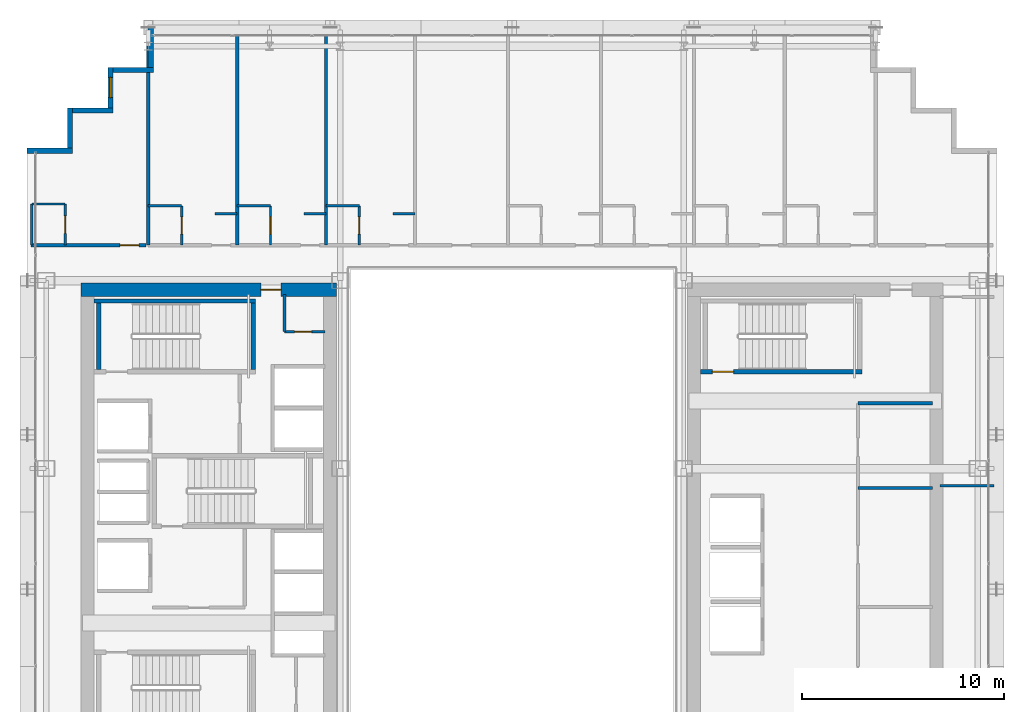
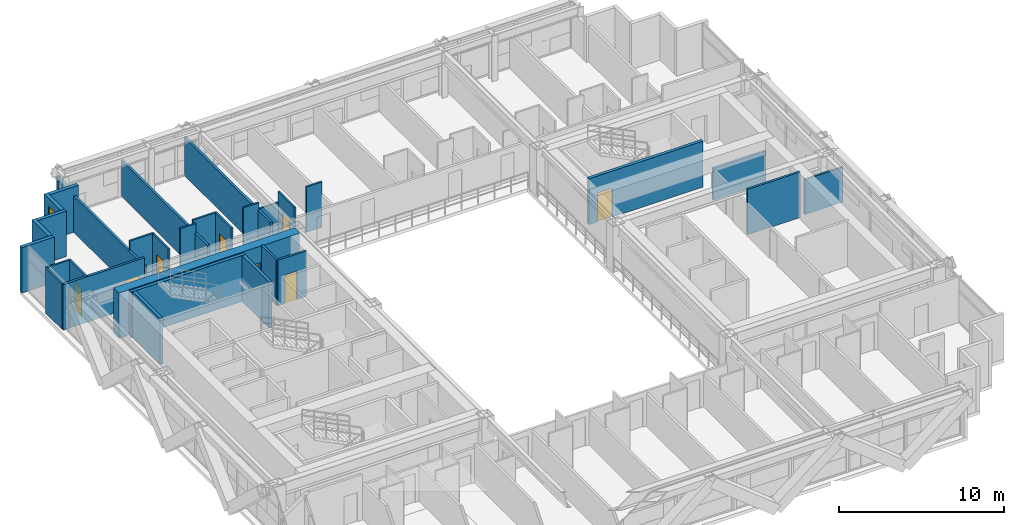
# One storey, part 30 of 36: 32 walls, 8 doors, 1 window, 9 openings.
"""IFC4 building model written with IfcOpenShell, lengths in metres."""

from ifc_helpers import new_model, si_unit, direction, frame, frame_2d, origin, place, context, subcontext, project, spatial, rectangle, extrude, source, transform, mapped, material, layer, layer_set, type_object, element, fill, save


model = new_model("IFC4")

# Units and contexts
model_context = context("Model", 3, precision=1e-05, world=origin(), true_north=direction((0.0, 1.0)))
body_context = subcontext(model_context, "Body", "Model", "MODEL_VIEW")
ifc_project = project(units=[si_unit("LENGTHUNIT", "METRE"), si_unit("AREAUNIT", "SQUARE_METRE"), si_unit("VOLUMEUNIT", "CUBIC_METRE"), si_unit("PLANEANGLEUNIT", "RADIAN"), si_unit("MASSUNIT", "GRAM", prefix="KILO")], contexts=[model_context])

# Site, building, storey
site_placement = place(None, origin())
site = spatial("IfcSite", under=ifc_project, at=site_placement, CompositionType="ELEMENT")
building_placement = place(site_placement, origin())
building = spatial("IfcBuilding", under=site, at=building_placement, Name="Ocotamira Hotel", CompositionType="ELEMENT")
storey_placement = place(building_placement, frame((0.0, 0.0, 136.800048828125)))
storey = spatial("IfcBuildingStorey", under=building, at=storey_placement, Name="L34", CompositionType="ELEMENT", Elevation=136.800048828125)

# Wall, opening, door
ifc_material_1 = material(Name="Concrete C60/75", Category="concrete")
ifc_layer_1 = layer(ifc_material_1, 0.64990234375)
ifc_layer_set_1 = layer_set([ifc_layer_1], Name="Concrete C60/75")
wall_type_1 = type_object("IfcWallType", Name="WL-CORE-650", PredefinedType="SHEAR", material=ifc_layer_set_1)
wall_1_placement = place(storey_placement, frame((10.675048828125, 37.0, 0.0), z_axis=(0.0, 0.0, 1.0), x_axis=(1.0, 0.0, 0.0)))
wall_1 = element("IfcWall", 1, at=wall_1_placement, inside=storey, type_object=wall_type_1, Name="L34 Shear Core Wall WCORE-N", PredefinedType="SHEAR", context=body_context, shape_type="SweptSolid", body=[
    extrude(rectangle(XDim=12.64990234375, YDim=0.64990234375, at=frame_2d((6.324951171875, 0.0))), origin(), (0.0, 0.0, 1.0), 3.35986328125),
])
opening_1_placement = place(wall_1_placement, frame((8.905029296875, 0.0, 0.0)))
opening_1 = element("IfcOpeningElement", 2, at=opening_1_placement, cuts=wall_1, Name="Opening D-FR2", PredefinedType="OPENING", context=body_context, shape_type="SweptSolid", body=[
    extrude(rectangle(XDim=1.0, YDim=2.14990234375, at=frame_2d((0.5, 1.074951171875))), frame((0.0, 0.3349609375, 0.0), z_axis=(0.0, -1.0, 0.0), x_axis=(1.0, 0.0, 0.0)), (0.0, 0.0, 1.0), 0.669921875),
])
ifc_material_2 = material(Name="Fire-rated acoustic timber-veneer door", Category="wood")
door_type_1 = type_object("IfcDoorType", Name="DR-FIRE-1000", OperationType="NOTDEFINED", PredefinedType="DOOR", material=ifc_material_2)
shared_shape_1 = source(origin(), body_context, "Body", "SweptSolid", [
    extrude(rectangle(XDim=1.0, YDim=2.14990234375, at=frame_2d((0.5, 1.074951171875))), frame((0.0, 0.02490234375, 0.0), z_axis=(0.0, -1.0, 0.0), x_axis=(1.0, 0.0, 0.0)), (0.0, 0.0, 1.0), 0.050048828125),
])
door_1_placement = place(opening_1_placement, origin())
door_1 = element("IfcDoor", 3, at=door_1_placement, inside=storey, type_object=door_type_1, Name="L34 Door ID-L34-WLOB-N-D [ID-L34-WLOB-N-D]", OperationType="SINGLE_SWING_RIGHT", OverallHeight=2.14990234375, OverallWidth=1.0, PredefinedType="DOOR", context=body_context, shape_type="MappedRepresentation", body=[
    mapped(shared_shape_1, transform((0.0, 0.0, 0.0), scale=1.0)),
])
fill(opening_1, door_1)

# Walls
ifc_material_3 = material(Name="Precast concrete C45/55", Category="concrete")
ifc_layer_2 = layer(ifc_material_3, 0.25)
ifc_layer_set_2 = layer_set([ifc_layer_2], Name="Precast concrete C45/55")
wall_type_2 = type_object("IfcWallType", Name="WL-EXT-SER-250", PredefinedType="SOLIDWALL", material=ifc_layer_set_2)
wall_2_placement = place(storey_placement, frame((14.125, 50.0, 0.0), z_axis=(0.0, 0.0, 1.0), x_axis=(0.0, -1.0, 0.0)))
element("IfcWall", 4, at=wall_2_placement, inside=storey, type_object=wall_type_2, Name="L34 Serrated Corner Wall 13", PredefinedType="SOLIDWALL", context=body_context, shape_type="SweptSolid", body=[
    extrude(rectangle(XDim=2.0, YDim=0.25, at=frame_2d((1.0, 0.0))), origin(), (0.0, 0.0, 1.0), 2.6669921875),
])
wall_3_placement = place(storey_placement, frame((14.25, 47.875, 0.0), z_axis=(0.0, 0.0, 1.0), x_axis=(-1.0, 0.0, 0.0)))
element("IfcWall", 5, at=wall_3_placement, inside=storey, type_object=wall_type_2, Name="L34 Serrated Corner Wall 14", PredefinedType="SOLIDWALL", context=body_context, shape_type="SweptSolid", body=[
    extrude(rectangle(XDim=2.0, YDim=0.25, at=frame_2d((1.0, 0.0))), origin(), (0.0, 0.0, 1.0), 3.35986328125),
])

# Wall, opening, window
wall_4_placement = place(storey_placement, frame((12.125, 48.0, 0.0), z_axis=(0.0, 0.0, 1.0), x_axis=(0.0, -1.0, 0.0)))
wall_4 = element("IfcWall", 6, at=wall_4_placement, inside=storey, type_object=wall_type_2, Name="L34 Serrated Corner Wall 15", PredefinedType="SOLIDWALL", context=body_context, shape_type="SweptSolid", body=[
    extrude(rectangle(XDim=2.0, YDim=0.25, at=frame_2d((1.0, 0.0))), origin(), (0.0, 0.0, 1.0), 3.35986328125),
])
opening_2_placement = place(wall_4_placement, frame((0.5, 0.0, 0.85009765625)))
opening_2 = element("IfcOpeningElement", 7, at=opening_2_placement, cuts=wall_4, Name="Opening WN-2", PredefinedType="OPENING", context=body_context, shape_type="SweptSolid", body=[
    extrude(rectangle(XDim=1.0, YDim=1.89990234375, at=frame_2d((0.5, 0.949951171875))), frame((0.0, 0.135009765625, 0.0), z_axis=(0.0, -1.0, 0.0), x_axis=(1.0, 0.0, 0.0)), (0.0, 0.0, 1.0), 0.27001953125),
])
ifc_material_4 = material(Name="Double-silver low-E solar glass", Category="glass")
window_type = type_object("IfcWindowType", Name="WIN-SER-1100", PartitioningType="SINGLE_PANEL", PredefinedType="WINDOW", material=ifc_material_4)
shared_shape_2 = source(origin(), body_context, "Body", "SweptSolid", [
    extrude(rectangle(XDim=1.0, YDim=1.89990234375, at=frame_2d((0.5, 0.949951171875))), frame((0.0, 0.030029296875, 0.0), z_axis=(0.0, -1.0, 0.0), x_axis=(1.0, 0.0, 0.0)), (0.0, 0.0, 1.0), 0.06005859375),
])
window_placement = place(opening_2_placement, origin())
window = element("IfcWindow", 8, at=window_placement, inside=storey, type_object=window_type, Name="L34 Serrated Corner Window 15", OverallHeight=1.89990234375, OverallWidth=1.0, PartitioningType="SINGLE_PANEL", PredefinedType="WINDOW", context=body_context, shape_type="MappedRepresentation", body=[
    mapped(shared_shape_2, transform((0.0, 0.0, 0.0), scale=1.0)),
])
fill(opening_2, window)

# Walls
for number, where, z_axis, x_axis, name in (
    (9, (12.25, 45.875, 0.0), (0.0, 0.0, 1.0), (-1.0, 0.0, 0.0), "L34 Serrated Corner Wall 16"),
    (10, (10.125, 46.0, 0.0), (0.0, 0.0, 1.0), (0.0, -1.0, 0.0), "L34 Serrated Corner Wall 17"),
):
    element("IfcWall", number, at=place(storey_placement, frame(where, z_axis=z_axis, x_axis=x_axis)), inside=storey, type_object=wall_type_2, Name=name, PredefinedType="SOLIDWALL", context=body_context, shape_type="SweptSolid", body=[
        extrude(rectangle(XDim=2.0, YDim=0.25, at=frame_2d((1.0, 0.0))), origin(), (0.0, 0.0, 1.0), 3.35986328125),
    ])
wall_5_placement = place(storey_placement, frame((10.25, 43.875, 0.0), z_axis=(0.0, 0.0, 1.0), x_axis=(-1.0, 0.0, 0.0)))
element("IfcWall", 11, at=wall_5_placement, inside=storey, type_object=wall_type_2, Name="L34 Serrated Corner Wall 18", PredefinedType="SOLIDWALL", context=body_context, shape_type="SweptSolid", body=[
    extrude(rectangle(XDim=2.25, YDim=0.25, at=frame_2d((1.125, 0.0))), origin(), (0.0, 0.0, 1.0), 3.35986328125),
])
ifc_material_5 = material(Name="Acoustic double-layer fire gypsum board partition", Category="gypsum")
ifc_layer_3 = layer(ifc_material_5, 0.159912109375)
ifc_layer_set_3 = layer_set([ifc_layer_3], Name="Acoustic double-layer fire gypsum board partition")
wall_type_3 = type_object("IfcWallType", Name="WL-FIRE-160", PredefinedType="PARTITIONING", material=ifc_layer_set_3)
wall_6_placement = place(storey_placement, frame((49.1201171875, 31.3798828125, 0.0), z_axis=(0.0, 0.0, 1.0), x_axis=(1.0, 0.0, 0.0)))
element("IfcWall", 12, at=wall_6_placement, inside=storey, type_object=wall_type_3, Name="L34 Interior Wall PW-L34-EC-FLOW-N", PredefinedType="PARTITIONING", context=body_context, shape_type="SweptSolid", body=[
    extrude(rectangle(XDim=3.679931640625, YDim=0.159912109375, at=frame_2d((1.83984375, 0.0))), origin(), (0.0, 0.0, 1.0), 2.35986328125),
])

# Wall, opening, door
wall_7_placement = place(storey_placement, frame((8.199951171875, 39.199951171875, 0.0), z_axis=(0.0, 0.0, 1.0), x_axis=(1.0, 0.0, 0.0)))
wall_7 = element("IfcWall", 13, at=wall_7_placement, inside=storey, type_object=wall_type_3, Name="L34 Interior Wall PW-L34-Z2D-CNW-CW", PredefinedType="PARTITIONING", context=body_context, shape_type="SweptSolid", body=[
    extrude(rectangle(XDim=5.679931640625, YDim=0.159912109375, at=frame_2d((2.83984375, 0.0))), origin(), (0.0, 0.0, 1.0), 3.35986328125),
])
opening_3_placement = place(wall_7_placement, frame((4.39990234375, 0.0, 0.0)))
opening_3 = element("IfcOpeningElement", 14, at=opening_3_placement, cuts=wall_7, Name="Opening D-GR1", PredefinedType="OPENING", context=body_context, shape_type="SweptSolid", body=[
    extrude(rectangle(XDim=0.93994140625, YDim=2.14990234375, at=frame_2d((0.469970703125, 1.074951171875))), frame((0.0, 0.08984375, 0.0), z_axis=(0.0, -1.0, 0.0), x_axis=(1.0, 0.0, 0.0)), (0.0, 0.0, 1.0), 0.179931640625),
])
ifc_material_6 = material(Name="Solid-core walnut suite entrance fire door", Category="wood")
door_type_2 = type_object("IfcDoorType", Name="DR-GUEST-940", OperationType="NOTDEFINED", PredefinedType="DOOR", material=ifc_material_6)
shared_shape_3 = source(origin(), body_context, "Body", "SweptSolid", [
    extrude(rectangle(XDim=0.93994140625, YDim=2.14990234375, at=frame_2d((0.469970703125, 1.074951171875))), frame((0.0, 0.02490234375, 0.0), z_axis=(0.0, -1.0, 0.0), x_axis=(1.0, 0.0, 0.0)), (0.0, 0.0, 1.0), 0.050048828125),
])
door_2_placement = place(opening_3_placement, origin())
door_2 = element("IfcDoor", 15, at=door_2_placement, inside=storey, type_object=door_type_2, Name="L34 Door ID-L34-Z2D-CNW-CD [ID-L34-Z2D-CNW-CD]", OperationType="SINGLE_SWING_RIGHT", OverallHeight=2.14990234375, OverallWidth=0.93994140625, PredefinedType="DOOR", context=body_context, shape_type="MappedRepresentation", body=[
    mapped(shared_shape_3, transform((0.0, 0.0, 0.0), scale=1.0)),
])
fill(opening_3, door_2)

ifc_material_7 = material(Name="Moisture-resistant en-suite tile and gypsum partition", Category="gypsum")
ifc_layer_4 = layer(ifc_material_7, 0.1201171875)
ifc_layer_set_4 = layer_set([ifc_layer_4], Name="Moisture-resistant en-suite tile and gypsum partition")
wall_type_4 = type_object("IfcWallType", Name="WL-PART-120", PredefinedType="PARTITIONING", material=ifc_layer_set_4)
wall_8_placement = place(storey_placement, frame((9.889892578125, 39.199951171875, 0.0), z_axis=(0.0, 0.0, 1.0), x_axis=(0.0, 1.0, 0.0)))
wall_8 = element("IfcWall", 16, at=wall_8_placement, inside=storey, type_object=wall_type_4, Name="L34 Interior Wall PW-L34-Z2D-CNW-BE", PredefinedType="PARTITIONING", context=body_context, shape_type="SweptSolid", body=[
    extrude(rectangle(XDim=2.0400390625, YDim=0.1201171875, at=frame_2d((1.02001953125, 0.0))), origin(), (0.0, 0.0, 1.0), 3.35986328125),
])
opening_4_placement = place(wall_8_placement, frame((0.590087890625, 0.0, 0.0)))
opening_4 = element("IfcOpeningElement", 17, at=opening_4_placement, cuts=wall_8, Name="Opening D-BA1", PredefinedType="OPENING", context=body_context, shape_type="SweptSolid", body=[
    extrude(rectangle(XDim=0.860107421875, YDim=2.10009765625, at=frame_2d((0.43017578125, 1.050048828125))), frame((0.0, 0.070068359375, 0.0), z_axis=(0.0, -1.0, 0.0), x_axis=(1.0, 0.0, 0.0)), (0.0, 0.0, 1.0), 0.14013671875),
])
ifc_material_8 = material(Name="Moisture-sealed en-suite timber door", Category="wood")
door_type_3 = type_object("IfcDoorType", Name="DR-BATH-860", OperationType="NOTDEFINED", PredefinedType="DOOR", material=ifc_material_8)
shared_shape_4 = source(origin(), body_context, "Body", "SweptSolid", [
    extrude(rectangle(XDim=0.860107421875, YDim=2.10009765625, at=frame_2d((0.43017578125, 1.050048828125))), frame((0.0, 0.02490234375, 0.0), z_axis=(0.0, -1.0, 0.0), x_axis=(1.0, 0.0, 0.0)), (0.0, 0.0, 1.0), 0.050048828125),
])
door_3_placement = place(opening_4_placement, origin())
door_3 = element("IfcDoor", 18, at=door_3_placement, inside=storey, type_object=door_type_3, Name="L34 Door ID-L34-Z2D-CNW-BD [ID-L34-Z2D-CNW-BD]", OperationType="SINGLE_SWING_LEFT", OverallHeight=2.10009765625, OverallWidth=0.860107421875, PredefinedType="DOOR", context=body_context, shape_type="MappedRepresentation", body=[
    mapped(shared_shape_4, transform((0.0, 0.0, 0.0), scale=1.0)),
])
fill(opening_4, door_3)

# Walls
wall_9_placement = place(storey_placement, frame((8.239990234375, 39.199951171875, 0.0), z_axis=(0.0, 0.0, 1.0), x_axis=(0.0, 1.0, 0.0)))
element("IfcWall", 19, at=wall_9_placement, inside=storey, type_object=wall_type_4, Name="L34 Interior Wall PW-L34-Z2D-CNW-BW", PredefinedType="PARTITIONING", context=body_context, shape_type="SweptSolid", body=[
    extrude(rectangle(XDim=2.0400390625, YDim=0.1201171875, at=frame_2d((1.02001953125, 0.0))), origin(), (0.0, 0.0, 1.0), 3.35986328125),
])
wall_10_placement = place(storey_placement, frame((8.239990234375, 41.239990234375, 0.0), z_axis=(0.0, 0.0, 1.0), x_axis=(1.0, 0.0, 0.0)))
element("IfcWall", 20, at=wall_10_placement, inside=storey, type_object=wall_type_4, Name="L34 Interior Wall PW-L34-Z2D-CNW-BH", PredefinedType="PARTITIONING", context=body_context, shape_type="SweptSolid", body=[
    extrude(rectangle(XDim=1.64990234375, YDim=0.1201171875, at=frame_2d((0.824951171875, 0.0))), origin(), (0.0, 0.0, 1.0), 3.35986328125),
])

# Wall, opening, door
wall_11_placement = place(storey_placement, frame((15.64990234375, 39.199951171875, 0.0), z_axis=(0.0, 0.0, 1.0), x_axis=(0.0, 1.0, 0.0)))
wall_11 = element("IfcWall", 21, at=wall_11_placement, inside=storey, type_object=wall_type_4, Name="L34 Interior Wall PW-L34-Z2DN-BAE1", PredefinedType="PARTITIONING", context=body_context, shape_type="SweptSolid", body=[
    extrude(rectangle(XDim=1.949951171875, YDim=0.1201171875, at=frame_2d((0.97509765625, 0.0))), origin(), (0.0, 0.0, 1.0), 3.35986328125),
])
opening_5_placement = place(wall_11_placement, frame((0.544921875, 0.0, 0.0)))
opening_5 = element("IfcOpeningElement", 22, at=opening_5_placement, cuts=wall_11, Name="Opening D-BA1", PredefinedType="OPENING", context=body_context, shape_type="SweptSolid", body=[
    extrude(rectangle(XDim=0.860107421875, YDim=2.10009765625, at=frame_2d((0.43017578125, 1.050048828125))), frame((0.0, 0.070068359375, 0.0), z_axis=(0.0, -1.0, 0.0), x_axis=(1.0, 0.0, 0.0)), (0.0, 0.0, 1.0), 0.14013671875),
])
door_4_placement = place(opening_5_placement, origin())
door_4 = element("IfcDoor", 23, at=door_4_placement, inside=storey, type_object=door_type_3, Name="L34 Door ID-L34-Z2DN-BAD1 [ID-L34-Z2DN-BAD1]", OperationType="SINGLE_SWING_RIGHT", OverallHeight=2.10009765625, OverallWidth=0.860107421875, PredefinedType="DOOR", context=body_context, shape_type="MappedRepresentation", body=[
    mapped(shared_shape_4, transform((0.0, 0.0, 0.0), scale=1.0)),
])
fill(opening_5, door_4)

# Walls
wall_12_placement = place(storey_placement, frame((14.0, 41.14990234375, 0.0), z_axis=(0.0, 0.0, 1.0), x_axis=(1.0, 0.0, 0.0)))
element("IfcWall", 24, at=wall_12_placement, inside=storey, type_object=wall_type_4, Name="L34 Interior Wall PW-L34-Z2DN-BAN1", PredefinedType="PARTITIONING", context=body_context, shape_type="SweptSolid", body=[
    extrude(rectangle(XDim=1.64990234375, YDim=0.1201171875, at=frame_2d((0.824951171875, 0.0))), origin(), (0.0, 0.0, 1.0), 3.35986328125),
])
wall_13_placement = place(storey_placement, frame((17.300048828125, 40.75, 0.0), z_axis=(0.0, 0.0, 1.0), x_axis=(1.0, 0.0, 0.0)))
element("IfcWall", 25, at=wall_13_placement, inside=storey, type_object=wall_type_4, Name="L34 Interior Wall PW-L34-Z2DN-DRN1", PredefinedType="PARTITIONING", context=body_context, shape_type="SweptSolid", body=[
    extrude(rectangle(XDim=1.099853515625, YDim=0.1201171875, at=frame_2d((0.5498046875, 0.0))), origin(), (0.0, 0.0, 1.0), 3.35986328125),
])

# Wall, opening, door
wall_14_placement = place(storey_placement, frame((20.050048828125, 39.199951171875, 0.0), z_axis=(0.0, 0.0, 1.0), x_axis=(0.0, 1.0, 0.0)))
wall_14 = element("IfcWall", 26, at=wall_14_placement, inside=storey, type_object=wall_type_4, Name="L34 Interior Wall PW-L34-Z2DN-BAE2", PredefinedType="PARTITIONING", context=body_context, shape_type="SweptSolid", body=[
    extrude(rectangle(XDim=1.949951171875, YDim=0.1201171875, at=frame_2d((0.97509765625, 0.0))), origin(), (0.0, 0.0, 1.0), 3.35986328125),
])
opening_6_placement = place(wall_14_placement, frame((0.544921875, 0.0, 0.0)))
opening_6 = element("IfcOpeningElement", 27, at=opening_6_placement, cuts=wall_14, Name="Opening D-BA1", PredefinedType="OPENING", context=body_context, shape_type="SweptSolid", body=[
    extrude(rectangle(XDim=0.860107421875, YDim=2.10009765625, at=frame_2d((0.43017578125, 1.050048828125))), frame((0.0, 0.070068359375, 0.0), z_axis=(0.0, -1.0, 0.0), x_axis=(1.0, 0.0, 0.0)), (0.0, 0.0, 1.0), 0.14013671875),
])
door_5_placement = place(opening_6_placement, origin())
door_5 = element("IfcDoor", 28, at=door_5_placement, inside=storey, type_object=door_type_3, Name="L34 Door ID-L34-Z2DN-BAD2 [ID-L34-Z2DN-BAD2]", OperationType="SINGLE_SWING_LEFT", OverallHeight=2.10009765625, OverallWidth=0.860107421875, PredefinedType="DOOR", context=body_context, shape_type="MappedRepresentation", body=[
    mapped(shared_shape_4, transform((0.0, 0.0, 0.0), scale=1.0)),
])
fill(opening_6, door_5)

# Walls
wall_15_placement = place(storey_placement, frame((18.39990234375, 41.14990234375, 0.0), z_axis=(0.0, 0.0, 1.0), x_axis=(1.0, 0.0, 0.0)))
element("IfcWall", 29, at=wall_15_placement, inside=storey, type_object=wall_type_4, Name="L34 Interior Wall PW-L34-Z2DN-BAN2", PredefinedType="PARTITIONING", context=body_context, shape_type="SweptSolid", body=[
    extrude(rectangle(XDim=1.650146484375, YDim=0.1201171875, at=frame_2d((0.8251953125, 0.0))), origin(), (0.0, 0.0, 1.0), 3.35986328125),
])
wall_16_placement = place(storey_placement, frame((21.699951171875, 40.75, 0.0), z_axis=(0.0, 0.0, 1.0), x_axis=(1.0, 0.0, 0.0)))
element("IfcWall", 30, at=wall_16_placement, inside=storey, type_object=wall_type_4, Name="L34 Interior Wall PW-L34-Z2DN-DRN2", PredefinedType="PARTITIONING", context=body_context, shape_type="SweptSolid", body=[
    extrude(rectangle(XDim=1.10009765625, YDim=0.1201171875, at=frame_2d((0.550048828125, 0.0))), origin(), (0.0, 0.0, 1.0), 3.35986328125),
])

# Wall, opening, door
wall_17_placement = place(storey_placement, frame((24.449951171875, 39.199951171875, 0.0), z_axis=(0.0, 0.0, 1.0), x_axis=(0.0, 1.0, 0.0)))
wall_17 = element("IfcWall", 31, at=wall_17_placement, inside=storey, type_object=wall_type_4, Name="L34 Interior Wall PW-L34-Z2DN-BAE3", PredefinedType="PARTITIONING", context=body_context, shape_type="SweptSolid", body=[
    extrude(rectangle(XDim=1.949951171875, YDim=0.1201171875, at=frame_2d((0.97509765625, 0.0))), origin(), (0.0, 0.0, 1.0), 3.35986328125),
])
opening_7_placement = place(wall_17_placement, frame((0.544921875, 0.0, 0.0)))
opening_7 = element("IfcOpeningElement", 32, at=opening_7_placement, cuts=wall_17, Name="Opening D-BA1", PredefinedType="OPENING", context=body_context, shape_type="SweptSolid", body=[
    extrude(rectangle(XDim=0.860107421875, YDim=2.10009765625, at=frame_2d((0.43017578125, 1.050048828125))), frame((0.0, 0.070068359375, 0.0), z_axis=(0.0, -1.0, 0.0), x_axis=(1.0, 0.0, 0.0)), (0.0, 0.0, 1.0), 0.14013671875),
])
door_6_placement = place(opening_7_placement, origin())
door_6 = element("IfcDoor", 33, at=door_6_placement, inside=storey, type_object=door_type_3, Name="L34 Door ID-L34-Z2DN-BAD3 [ID-L34-Z2DN-BAD3]", OperationType="SINGLE_SWING_RIGHT", OverallHeight=2.10009765625, OverallWidth=0.860107421875, PredefinedType="DOOR", context=body_context, shape_type="MappedRepresentation", body=[
    mapped(shared_shape_4, transform((0.0, 0.0, 0.0), scale=1.0)),
])
fill(opening_7, door_6)

# Walls
wall_18_placement = place(storey_placement, frame((22.800048828125, 41.14990234375, 0.0), z_axis=(0.0, 0.0, 1.0), x_axis=(1.0, 0.0, 0.0)))
element("IfcWall", 34, at=wall_18_placement, inside=storey, type_object=wall_type_4, Name="L34 Interior Wall PW-L34-Z2DN-BAN3", PredefinedType="PARTITIONING", context=body_context, shape_type="SweptSolid", body=[
    extrude(rectangle(XDim=1.64990234375, YDim=0.1201171875, at=frame_2d((0.824951171875, 0.0))), origin(), (0.0, 0.0, 1.0), 2.5810546875),
])
wall_19_placement = place(storey_placement, frame((26.10009765625, 40.75, 0.0), z_axis=(0.0, 0.0, 1.0), x_axis=(1.0, 0.0, 0.0)))
element("IfcWall", 35, at=wall_19_placement, inside=storey, type_object=wall_type_4, Name="L34 Interior Wall PW-L34-Z2DN-DRN3", PredefinedType="PARTITIONING", context=body_context, shape_type="SweptSolid", body=[
    extrude(rectangle(XDim=1.099853515625, YDim=0.1201171875, at=frame_2d((0.5498046875, 0.0))), origin(), (0.0, 0.0, 1.0), 3.35986328125),
])
ifc_material_9 = material(Name="Acoustic hospitality gypsum board partition", Category="gypsum")
ifc_layer_5 = layer(ifc_material_9, 0.14208984375)
ifc_layer_set_5 = layer_set([ifc_layer_5], Name="Acoustic hospitality gypsum board partition")
wall_type_5 = type_object("IfcWallType", Name="WL-PART-142", PredefinedType="PARTITIONING", material=ifc_layer_set_5)
wall_20_placement = place(storey_placement, frame((20.739990234375, 34.919921875, 0.0), z_axis=(0.0, 0.0, 1.0), x_axis=(0.0, 1.0, 0.0)))
element("IfcWall", 36, at=wall_20_placement, inside=storey, type_object=wall_type_5, Name="L34 Interior Wall PW-L34-WC-NE-W1", PredefinedType="PARTITIONING", context=body_context, shape_type="SweptSolid", body=[
    extrude(rectangle(XDim=1.830078125, YDim=0.14208984375, at=frame_2d((0.9150390625, 0.0))), origin(), (0.0, 0.0, 1.0), 3.35986328125),
])

# Wall, opening, door
wall_21_placement = place(storey_placement, frame((20.739990234375, 34.919921875, 0.0), z_axis=(0.0, 0.0, 1.0), x_axis=(1.0, 0.0, 0.0)))
wall_21 = element("IfcWall", 37, at=wall_21_placement, inside=storey, type_object=wall_type_5, Name="L34 Interior Wall PW-L34-WC-NE-S1", PredefinedType="PARTITIONING", context=body_context, shape_type="SweptSolid", body=[
    extrude(rectangle(XDim=2.010009765625, YDim=0.14208984375, at=frame_2d((1.0048828125, 0.0))), origin(), (0.0, 0.0, 1.0), 3.35986328125),
])
opening_8_placement = place(wall_21_placement, frame((0.5, 0.0, 0.0)))
opening_8 = element("IfcOpeningElement", 38, at=opening_8_placement, cuts=wall_21, Name="Opening D-SV1", PredefinedType="OPENING", context=body_context, shape_type="SweptSolid", body=[
    extrude(rectangle(XDim=0.840087890625, YDim=2.10009765625, at=frame_2d((0.419921875, 1.050048828125))), frame((0.0, 0.0810546875, 0.0), z_axis=(0.0, -1.0, 0.0), x_axis=(1.0, 0.0, 0.0)), (0.0, 0.0, 1.0), 0.162109375),
])
ifc_material_10 = material(Name="Fire-rated painted steel service door", Category="steel")
door_type_4 = type_object("IfcDoorType", Name="DR-SERV-840", OperationType="NOTDEFINED", PredefinedType="DOOR", material=ifc_material_10)
shared_shape_5 = source(origin(), body_context, "Body", "SweptSolid", [
    extrude(rectangle(XDim=0.840087890625, YDim=2.10009765625, at=frame_2d((0.419921875, 1.050048828125))), frame((0.0, 0.02490234375, 0.0), z_axis=(0.0, -1.0, 0.0), x_axis=(1.0, 0.0, 0.0)), (0.0, 0.0, 1.0), 0.050048828125),
])
door_7_placement = place(opening_8_placement, origin())
door_7 = element("IfcDoor", 39, at=door_7_placement, inside=storey, type_object=door_type_4, Name="L34 Door ID-L34-WC-NE-D1 [ID-L34-WC-NE-D1]", OperationType="SINGLE_SWING_LEFT", OverallHeight=2.10009765625, OverallWidth=0.840087890625, PredefinedType="DOOR", context=body_context, shape_type="MappedRepresentation", body=[
    mapped(shared_shape_5, transform((0.0, 0.0, 0.0), scale=1.0)),
])
fill(opening_8, door_7)

# Walls
wall_22_placement = place(storey_placement, frame((53.179931640625, 27.300048828125, 0.0), z_axis=(0.0, 0.0, 1.0), x_axis=(1.0, 0.0, 0.0)))
element("IfcWall", 40, at=wall_22_placement, inside=storey, type_object=wall_type_5, Name="L34 Interior Wall PW-L34-Z2D-EF-DV1", PredefinedType="PARTITIONING", context=body_context, shape_type="SweptSolid", body=[
    extrude(rectangle(XDim=2.66015625, YDim=0.14208984375, at=frame_2d((1.330078125, 0.0))), origin(), (0.0, 0.0, 1.0), 2.5810546875),
])
ifc_layer_6 = layer(ifc_material_9, 0.14990234375)
ifc_layer_set_6 = layer_set([ifc_layer_6], Name="Acoustic hospitality gypsum board partition")
wall_type_6 = type_object("IfcWallType", Name="WL-PART-150", PredefinedType="PARTITIONING", material=ifc_layer_set_6)
wall_23_placement = place(storey_placement, frame((49.1201171875, 27.18994140625, 0.0), z_axis=(0.0, 0.0, 1.0), x_axis=(1.0, 0.0, 0.0)))
element("IfcWall", 41, at=wall_23_placement, inside=storey, type_object=wall_type_6, Name="L34 Interior Wall PW-L34-EC-FDIV2", PredefinedType="PARTITIONING", context=body_context, shape_type="SweptSolid", body=[
    extrude(rectangle(XDim=3.679931640625, YDim=0.14990234375, at=frame_2d((1.83984375, 0.0))), origin(), (0.0, 0.0, 1.0), 3.35986328125),
])
ifc_material_11 = material(Name="Acoustic double-stud hospitality gypsum partition", Category="gypsum")
ifc_layer_7 = layer(ifc_material_11, 0.159912109375)
ifc_layer_set_7 = layer_set([ifc_layer_7], Name="Acoustic double-stud hospitality gypsum partition")
wall_type_7 = type_object("IfcWallType", Name="WL-PART-160", PredefinedType="PARTITIONING", material=ifc_layer_set_7)
for number, where, z_axis, x_axis, name in (
    (42, (14.0, 39.199951171875, 0.0), (0.0, 0.0, 1.0), (0.0, 1.0, 0.0), "L34 Interior Wall PW-L34-Z2DN-PW0"),
    (43, (18.39990234375, 39.199951171875, 0.0), (0.0, 0.0, 1.0), (0.0, 1.0, 0.0), "L34 Interior Wall PW-L34-Z2DN-PW1"),
):
    element("IfcWall", number, at=place(storey_placement, frame(where, z_axis=z_axis, x_axis=x_axis)), inside=storey, type_object=wall_type_7, Name=name, PredefinedType="PARTITIONING", context=body_context, shape_type="SweptSolid", body=[
        extrude(rectangle(XDim=10.43994140625, YDim=0.159912109375, at=frame_2d((5.219970703125, 0.0))), origin(), (0.0, 0.0, 1.0), 2.6669921875),
    ])
wall_24_placement = place(storey_placement, frame((22.800048828125, 39.199951171875, 0.0), z_axis=(0.0, 0.0, 1.0), x_axis=(0.0, 1.0, 0.0)))
element("IfcWall", 44, at=wall_24_placement, inside=storey, type_object=wall_type_7, Name="L34 Interior Wall PW-L34-Z2DN-PW2", PredefinedType="PARTITIONING", context=body_context, shape_type="SweptSolid", body=[
    extrude(rectangle(XDim=10.43994140625, YDim=0.159912109375, at=frame_2d((5.219970703125, 0.0))), origin(), (0.0, 0.0, 1.0), 2.822998046875),
])
ifc_material_12 = material(Name="Concrete C50/60", Category="concrete")
ifc_layer_8 = layer(ifc_material_12, 0.219970703125)
ifc_layer_set_8 = layer_set([ifc_layer_8], Name="Concrete C50/60")
wall_type_8 = type_object("IfcWallType", Name="WL-STAIR-220", PredefinedType="SHEAR", material=ifc_layer_set_8)
wall_25_placement = place(storey_placement, frame((11.324951171875, 36.43994140625, 0.0), z_axis=(0.0, 0.0, 1.0), x_axis=(1.0, 0.0, 0.0)))
element("IfcWall", 45, at=wall_25_placement, inside=storey, type_object=wall_type_8, Name="L34 Stair Shaft Structural Wall ST-2-N", PredefinedType="SHEAR", context=body_context, shape_type="SweptSolid", body=[
    extrude(rectangle(XDim=7.985107421875, YDim=0.219970703125, at=frame_2d((3.99267578125, 0.0))), origin(), (0.0, 0.0, 1.0), 3.39990234375),
])
for number, where, z_axis, x_axis, name in (
    (46, (11.56005859375, 33.050048828125, 0.0), (0.0, 0.0, 1.0), (0.0, 1.0, 0.0), "L34 Stair Shaft Structural Wall ST-2-W"),
    (47, (19.199951171875, 33.050048828125, 0.0), (0.0, 0.0, 1.0), (0.0, 1.0, 0.0), "L34 Stair Shaft Structural Wall ST-2-E"),
):
    element("IfcWall", number, at=place(storey_placement, frame(where, z_axis=z_axis, x_axis=x_axis)), inside=storey, type_object=wall_type_8, Name=name, PredefinedType="SHEAR", context=body_context, shape_type="SweptSolid", body=[
        extrude(rectangle(XDim=3.280029296875, YDim=0.219970703125, at=frame_2d((1.64013671875, 0.0))), origin(), (0.0, 0.0, 1.0), 3.39990234375),
    ])

# Wall, opening, door
wall_26_placement = place(storey_placement, frame((41.324951171875, 32.93994140625, 0.0), z_axis=(0.0, 0.0, 1.0), x_axis=(1.0, 0.0, 0.0)))
wall_26 = element("IfcWall", 48, at=wall_26_placement, inside=storey, type_object=wall_type_8, Name="L34 Stair Shaft Structural Wall ST-4-S", PredefinedType="SHEAR", context=body_context, shape_type="SweptSolid", body=[
    extrude(rectangle(XDim=7.985107421875, YDim=0.219970703125, at=frame_2d((3.99267578125, 0.0))), origin(), (0.0, 0.0, 1.0), 3.39990234375),
])
opening_9_placement = place(wall_26_placement, frame((0.594970703125, 0.0, 0.0)))
opening_9 = element("IfcOpeningElement", 49, at=opening_9_placement, cuts=wall_26, Name="Opening D-ST2", PredefinedType="OPENING", context=body_context, shape_type="SweptSolid", body=[
    extrude(rectangle(XDim=1.050048828125, YDim=2.14990234375, at=frame_2d((0.52490234375, 1.074951171875))), frame((0.0, 0.1201171875, 0.0), z_axis=(0.0, -1.0, 0.0), x_axis=(1.0, 0.0, 0.0)), (0.0, 0.0, 1.0), 0.239990234375),
])
ifc_material_13 = material(Name="Insulated painted hollow-metal fire exit door", Category="steel")
door_type_5 = type_object("IfcDoorType", Name="DR-STAIR-1050", OperationType="NOTDEFINED", PredefinedType="DOOR", material=ifc_material_13)
shared_shape_6 = source(origin(), body_context, "Body", "SweptSolid", [
    extrude(rectangle(XDim=1.050048828125, YDim=2.14990234375, at=frame_2d((0.52490234375, 1.074951171875))), frame((0.0, 0.02490234375, 0.0), z_axis=(0.0, -1.0, 0.0), x_axis=(1.0, 0.0, 0.0)), (0.0, 0.0, 1.0), 0.050048828125),
])
door_8_placement = place(opening_9_placement, origin())
door_8 = element("IfcDoor", 50, at=door_8_placement, inside=storey, type_object=door_type_5, Name="L34 Door ID-L34-STD-ST-4 [ID-L34-STD-ST-4]", OperationType="SINGLE_SWING_RIGHT", OverallHeight=2.14990234375, OverallWidth=1.050048828125, PredefinedType="DOOR", context=body_context, shape_type="MappedRepresentation", body=[
    mapped(shared_shape_6, transform((0.0, 0.0, 0.0), scale=1.0)),
])
fill(opening_9, door_8)

save(model, "model.ifc")
